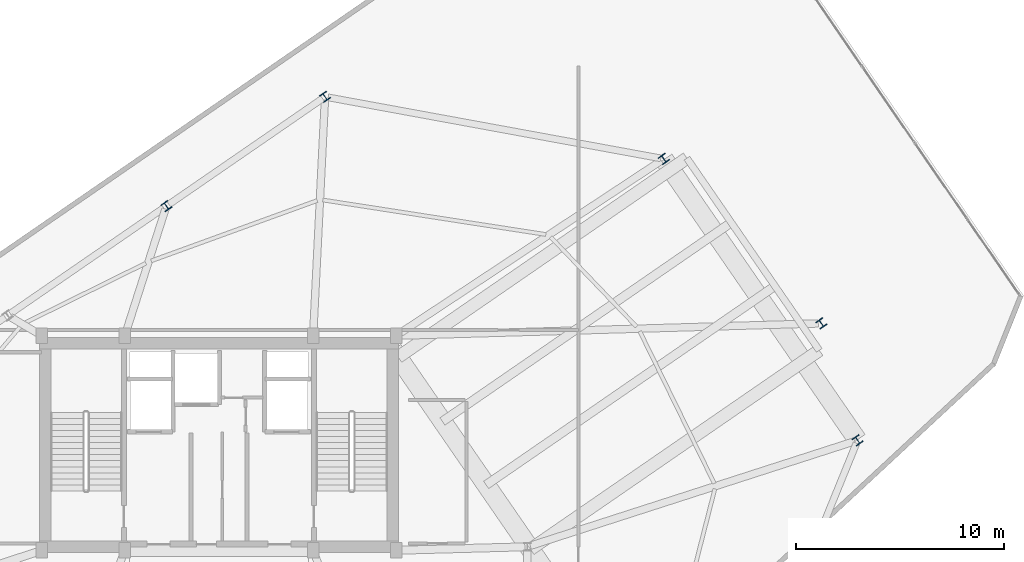
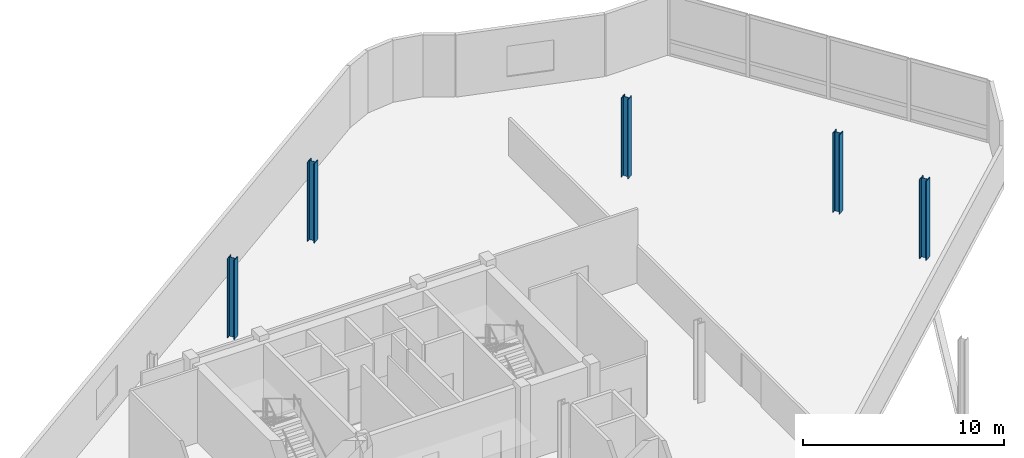
# One storey, part 2 of 15: 5 columns.
"""IFC4 building model written with IfcOpenShell, lengths in metres."""

import ifcopenshell
import ifcopenshell.guid

model = None  # the IFC model being written
_history = None  # IfcOwnerHistory: only IFC2X3 demands one
_inside = {}  # id of a spatial element -> (the spatial element, [elements in it])
_under = {}  # id of a project, library or spatial element -> (it, [spatial elements below it])
_declared = {}  # id of a project -> (the project, [libraries it declares])
_typed = {}  # id of a type object -> (the type object, [elements of that type])
_made_of = {}  # id of a material, layer set ... -> (it, [elements and type objects made of it])


def new_model(schema):
    """Start an empty IFC model of exactly this schema.

    Asked for "IFC4X3", IfcOpenShell would pick the latest addendum, in which some entities
    have other attributes; the version numbers below select the first issue.
    IFC2X3 requires an IfcOwnerHistory on every rooted entity: one is made here for all.
    """
    global model, _history
    if schema == "IFC4X3":
        model = ifcopenshell.file(schema_version=(4, 3, 0, 0))
    else:
        model = ifcopenshell.file(schema=schema)
    _inside.clear()
    _under.clear()
    _declared.clear()
    _typed.clear()
    _made_of.clear()
    _history = None
    if model.schema == "IFC2X3":
        org = make("IfcOrganization", Name="unknown")
        user = make(
            "IfcPersonAndOrganization",
            ThePerson=make("IfcPerson", FamilyName="unknown"),
            TheOrganization=org,
        )
        app = make(
            "IfcApplication",
            ApplicationDeveloper=org,
            Version="unknown",
            ApplicationFullName="unknown",
            ApplicationIdentifier="unknown",
        )
        _history = make(
            "IfcOwnerHistory",
            OwningUser=user,
            OwningApplication=app,
            ChangeAction="ADDED",
            CreationDate=0,
        )
    return model


def make(cls, **values):
    """One entity of the class cls with the attributes given. An attribute that is None is left unset."""
    return model.create_entity(
        cls, **{name: value for name, value in values.items() if value is not None}
    )


def rooted(cls, **values):
    """An entity with a GlobalId (a new one), such as an element, a storey or a relation."""
    return make(cls, GlobalId=ifcopenshell.guid.new(), OwnerHistory=_history, **values)


def si_unit(unit_type, name, prefix=None):
    """IfcSIUnit, for example si_unit("LENGTHUNIT", "METRE", prefix="MILLI")."""
    return make("IfcSIUnit", UnitType=unit_type, Prefix=prefix, Name=name)


def assignment(units):
    """IfcUnitAssignment: the units of a project."""
    return None if units is None else make("IfcUnitAssignment", Units=units)


def point(xyz):
    """IfcCartesianPoint."""
    return None if xyz is None else make("IfcCartesianPoint", Coordinates=xyz)


def direction(xyz):
    """IfcDirection."""
    return None if xyz is None else make("IfcDirection", DirectionRatios=xyz)


def frame(location, z_axis=None, x_axis=None):
    """IfcAxis2Placement3D, a coordinate frame: its origin and axes. An axis left out is left unset."""
    return make(
        "IfcAxis2Placement3D",
        Location=point(location),
        Axis=direction(z_axis),
        RefDirection=direction(x_axis),
    )


def frame_2d(location, x_axis=None):
    """IfcAxis2Placement2D, a coordinate frame in the plane: its origin and x axis."""
    return make(
        "IfcAxis2Placement2D", Location=point(location), RefDirection=direction(x_axis)
    )


def origin():
    """The frame at (0, 0, 0) with its axes left unset."""
    return frame((0.0, 0.0, 0.0))


def origin_2d():
    """The frame at (0, 0) in the plane with its x axis left unset."""
    return frame_2d((0.0, 0.0))


def place(relative_to, where):
    """IfcLocalPlacement: puts the frame where relative to a parent placement (None: the world)."""
    return make(
        "IfcLocalPlacement", PlacementRelTo=relative_to, RelativePlacement=where
    )


def context(
    kind, dimensions, precision=None, world=None, true_north=None, identifier=None
):
    """IfcGeometricRepresentationContext, for example the 3D "Model" context."""
    return make(
        "IfcGeometricRepresentationContext",
        ContextIdentifier=identifier,
        ContextType=kind,
        CoordinateSpaceDimension=dimensions,
        Precision=precision,
        WorldCoordinateSystem=world,
        TrueNorth=true_north,
    )


def subcontext(parent, identifier, kind, view, scale=None):
    """IfcGeometricRepresentationSubContext, for example "Body" below "Model"."""
    return make(
        "IfcGeometricRepresentationSubContext",
        ContextIdentifier=identifier,
        ContextType=kind,
        ParentContext=parent,
        TargetScale=scale,
        TargetView=view,
    )


def project(units=None, contexts=None):
    """IfcProject with its units and contexts."""
    return rooted(
        "IfcProject",
        Name="project",
        RepresentationContexts=contexts,
        UnitsInContext=assignment(units),
    )


def spatial(cls, under=None, at=None, **own):
    """A site, building, storey or space (cls), placed at a placement, below another one or the project."""
    s = rooted(cls, ObjectPlacement=at, **own)
    if under is not None:
        _under.setdefault(under.id(), (under, []))[1].append(s)
    return s


def profile(cls, at=None, kind="AREA", **sizes):
    """A parametric profile (cls). Its sizes go by their IFC names, for example OverallWidth=200.0."""
    return make(cls, ProfileType=kind, Position=at, **sizes)


def i_section(**sizes):
    """IfcIShapeProfileDef."""
    return profile("IfcIShapeProfileDef", **sizes)


def extrude(swept, where, along, depth):
    """IfcExtrudedAreaSolid: the profile swept, set in the frame where, extruded along a direction by depth."""
    return make(
        "IfcExtrudedAreaSolid",
        SweptArea=swept,
        Position=where,
        ExtrudedDirection=direction(along),
        Depth=depth,
    )


def shape(context_of_items, identifier, shape_type, items):
    """IfcShapeRepresentation: the items that make up one representation, for example the "Body"."""
    return make(
        "IfcShapeRepresentation",
        ContextOfItems=context_of_items,
        RepresentationIdentifier=identifier,
        RepresentationType=shape_type,
        Items=items,
    )


def material(Name=None, Category=None):
    """IfcMaterial."""
    return make("IfcMaterial", Name=Name, Category=Category)


def material_profile(
    of_material, cross_section, Name=None, Category=None, Priority=None
):
    """IfcMaterialProfile: a cross section and its material."""
    return make(
        "IfcMaterialProfile",
        Name=Name,
        Material=of_material,
        Profile=cross_section,
        Priority=Priority,
        Category=Category,
    )


def profile_set(profiles, Name=None, composite=None):
    """IfcMaterialProfileSet."""
    return make(
        "IfcMaterialProfileSet",
        Name=Name,
        MaterialProfiles=profiles,
        CompositeProfile=composite,
    )


def made_of(thing, what):
    """Note that an element or type object is made of a material, layer set ...; save() writes the relation."""
    if what is not None:
        _made_of.setdefault(what.id(), (what, []))[1].append(thing)
    return thing


def type_object(cls, material=None, **own):
    """A type object (cls), such as IfcWallType, which elements share."""
    return made_of(rooted(cls, **own), material)


def element(
    cls,
    number,
    at=None,
    inside=None,
    cuts=None,
    type_object=None,
    material=None,
    context=None,
    identifier="Body",
    shape_type=None,
    held_by="IfcProductDefinitionShape",
    body=None,
    shapes=None,
    **own,
):
    """One element of the class cls, such as IfcWall. Its Tag is "e" and its number.

    at: its placement. inside: the storey or other place that contains it. cuts: it is an
    opening in that element (IfcRelVoidsElement). A single representation is given by context,
    identifier, shape_type and body (its items); several are given by shapes. held_by: the class
    of the entity that holds the representations. save() writes the other relations.
    """
    e = rooted(cls, Tag="e%d" % number, ObjectPlacement=at, **own)
    if body is not None:
        shapes = [shape(context, identifier, shape_type, body)]
    if shapes is not None:
        e.Representation = make(held_by, Representations=shapes)
    if inside is not None:
        _inside.setdefault(inside.id(), (inside, []))[1].append(e)
    if cuts is not None:
        rooted(
            "IfcRelVoidsElement", RelatingBuildingElement=cuts, RelatedOpeningElement=e
        )
    if type_object is not None:
        _typed.setdefault(type_object.id(), (type_object, []))[1].append(e)
    return made_of(e, material)


def aggregate(whole, parts):
    """IfcRelAggregates: a whole, such as a stair, and the parts it consists of."""
    return rooted("IfcRelAggregates", RelatingObject=whole, RelatedObjects=parts)


def save(model, path):
    """Write the relations noted so far, then the file.

    IfcRelAggregates (storeys below a building ...), IfcRelContainedInSpatialStructure (elements
    in a storey), IfcRelDefinesByType, IfcRelAssociatesMaterial and IfcRelDeclares: one each for
    every whole, place, type object, material and project.
    """
    for whole, parts in _under.values():
        aggregate(whole, parts)
    for where, things in _inside.values():
        rooted(
            "IfcRelContainedInSpatialStructure",
            RelatedElements=things,
            RelatingStructure=where,
        )
    for kind, things in _typed.values():
        rooted("IfcRelDefinesByType", RelatedObjects=things, RelatingType=kind)
    for what, things in _made_of.values():
        rooted("IfcRelAssociatesMaterial", RelatedObjects=things, RelatingMaterial=what)
    for by, libraries in _declared.values():
        rooted("IfcRelDeclares", RelatingContext=by, RelatedDefinitions=libraries)
    model.write(path)


model = new_model("IFC4")

# Units and contexts
model_context = context("Model", 3, precision=1e-05, world=origin(), true_north=direction((0.0, 1.0)))
body_context = subcontext(model_context, "Body", "Model", "MODEL_VIEW")
ifc_project = project(units=[si_unit("LENGTHUNIT", "METRE"), si_unit("AREAUNIT", "SQUARE_METRE"), si_unit("VOLUMEUNIT", "CUBIC_METRE"), si_unit("PLANEANGLEUNIT", "RADIAN"), si_unit("MASSUNIT", "GRAM", prefix="KILO")], contexts=[model_context])

# Site, building, storey
site_placement = place(None, origin())
site = spatial("IfcSite", under=ifc_project, at=site_placement, CompositionType="ELEMENT")
building_placement = place(site_placement, origin())
building = spatial("IfcBuilding", under=site, at=building_placement, Name="Varnelok Gate Tower", CompositionType="ELEMENT")
storey_placement = place(building_placement, frame((0.0, 0.0, 291.5)))
storey = spatial("IfcBuildingStorey", under=building, at=storey_placement, Name="L75", CompositionType="ELEMENT", Elevation=291.5)

# Columns
ifc_material = material(Name="Structural Steel ASTM A992 Grade 50", Category="steel")
ifc_material_profile = material_profile(ifc_material, i_section(OverallWidth=0.40087890625, OverallDepth=0.39892578125, WebThickness=0.02490234375, FlangeThickness=0.03955078125, FilletRadius=0.02197265625, at=origin_2d()), Name="W14X211")
ifc_profile_set = profile_set([ifc_material_profile], Name="Structural Steel ASTM A992 Grade 50")
column_type = type_object("IfcColumnType", Name="COL-W14X211", PredefinedType="COLUMN", material=ifc_profile_set)
for number, where, z_axis, x_axis, name in (
    (1, (69.856689453125, 34.031494140625, 0.0), (0.0, 0.0, 1.0), (0.823532597628, 0.567268949127, 0.0), "L75 B6 Perimeter Column PC06"),
    (2, (68.115478515625, 39.644287109375, 0.0), (0.0, 0.0, 1.0), (0.823532597628, 0.567268949127, 0.0), "L75 B6 Perimeter Column PC07"),
    (3, (60.5537109375, 47.537353515625, 0.0), (0.0, 0.0, 1.0), (0.823532597628, 0.567268949127, 0.0), "L75 B6 Perimeter Column PC08"),
    (4, (44.29248046875, 50.519287109375, 0.0), (0.0, 0.0, 1.0), (0.823532597628, 0.567268949127, 0.0), "L75 B6 Perimeter Column PC09"),
    (5, (36.6748046875, 45.27197265625, 0.0), (0.0, 0.0, 1.0), (0.823532597628, 0.567268949127, 0.0), "L75 B6 Perimeter Column PC10"),
):
    element("IfcColumn", number, at=place(storey_placement, frame(where, z_axis=z_axis, x_axis=x_axis)), inside=storey, type_object=column_type, Name=name, PredefinedType="COLUMN", context=body_context, shape_type="SweptSolid", body=[
        extrude(i_section(OverallWidth=0.40087890625, OverallDepth=0.39892578125, WebThickness=0.02490234375, FlangeThickness=0.03955078125, FilletRadius=0.02197265625, at=origin_2d()), origin(), (0.0, 0.0, 1.0), 4.800048828125),
    ])

save(model, "model.ifc")
